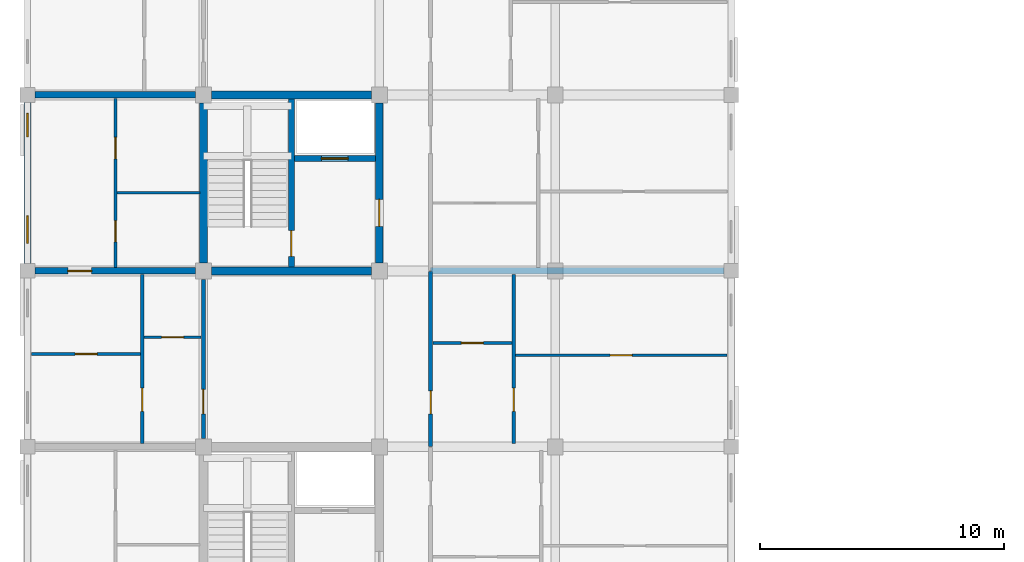
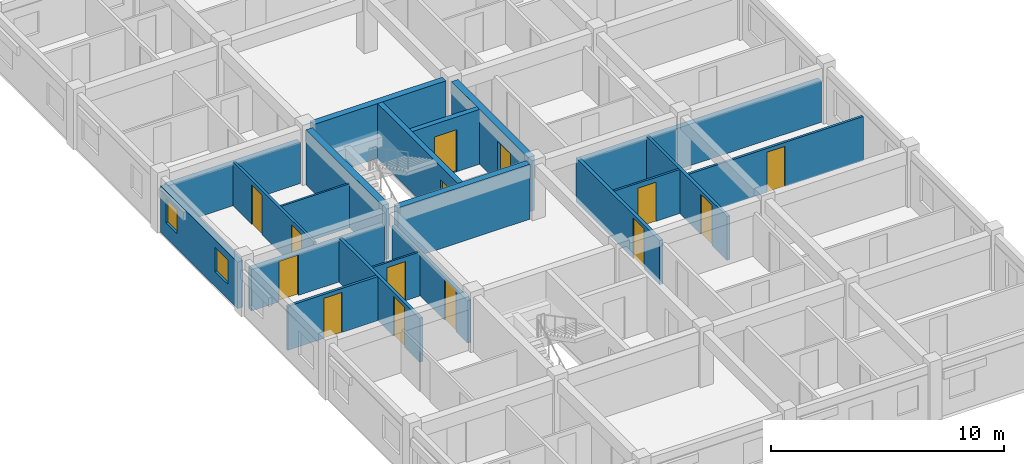
# One storey, part 15 of 50: 20 walls, 14 doors, 2 windows, 16 openings.
"""IFC4 building model written with IfcOpenShell, lengths in metres."""

from ifc_helpers import new_model, si_unit, direction, frame, frame_2d, origin, place, context, subcontext, project, spatial, rectangle, extrude, material, layer, layer_set, type_object, element, fill, save


model = new_model("IFC4")

# Units and contexts
model_context = context("Model", 3, precision=1e-05, world=origin(), true_north=direction((0.0, 1.0)))
body_context = subcontext(model_context, "Body", "Model", "MODEL_VIEW")
ifc_project = project(units=[si_unit("LENGTHUNIT", "METRE"), si_unit("AREAUNIT", "SQUARE_METRE"), si_unit("VOLUMEUNIT", "CUBIC_METRE"), si_unit("PLANEANGLEUNIT", "RADIAN"), si_unit("MASSUNIT", "GRAM", prefix="KILO"), si_unit("THERMODYNAMICTEMPERATUREUNIT", "KELVIN"), si_unit("POWERUNIT", "WATT")], contexts=[model_context])

# Site, building, storey
site_placement = place(None, origin())
site = spatial("IfcSite", under=ifc_project, at=site_placement, CompositionType="ELEMENT")
building_placement = place(site_placement, origin())
building = spatial("IfcBuilding", under=site, at=building_placement, Name="Tavuni Mirador Residences", CompositionType="ELEMENT")
storey_placement = place(building_placement, frame((0.0, 0.0, 4.5)))
storey = spatial("IfcBuildingStorey", under=building, at=storey_placement, Name="L01", CompositionType="ELEMENT", Elevation=4.5)

# Wall, opening, door
ifc_material_1 = material(Name="Precast concrete C40/50", Category="concrete")
ifc_layer_1 = layer(ifc_material_1, 0.25, Name="Precast concrete C40/50", Category="concrete")
ifc_layer_set_1 = layer_set([ifc_layer_1], Name="Precast concrete C40/50")
wall_type_1 = type_object("IfcWallType", Name="WT-COR250", PredefinedType="SHEAR", material=ifc_layer_set_1)
wall_1_placement = place(storey_placement, frame((14.39990234375, 28.9599609375, 0.0), z_axis=(0.0, 0.0, 1.0), x_axis=(0.0, 1.0, 0.0)))
wall_1 = element("IfcWall", 1, at=wall_1_placement, inside=storey, type_object=wall_type_1, Name="CWALL-C2-L01-MID", PredefinedType="SHEAR", context=body_context, shape_type="SweptSolid", body=[
    extrude(rectangle(XDim=6.880126953125, YDim=0.25, at=frame_2d((3.43994140625, 0.0))), origin(), (0.0, 0.0, 1.0), 2.8701171875),
])
opening_1_placement = place(wall_1_placement, frame((0.43994140625, 0.0, 0.0)))
opening_1 = element("IfcOpeningElement", 2, at=opening_1_placement, cuts=wall_1, Name="Opening D-01", PredefinedType="OPENING", context=body_context, shape_type="SweptSolid", body=[
    extrude(rectangle(XDim=1.050048828125, YDim=2.14990234375, at=frame_2d((0.52490234375, 1.074951171875))), frame((0.0, 0.135009765625, 0.0), z_axis=(0.0, -1.0, 0.0), x_axis=(1.0, 0.0, 0.0)), (0.0, 0.0, 1.0), 0.27001953125),
])
ifc_material_2 = material(Name="Solid core iroko timber", Category="wood")
door_type_1 = type_object("IfcDoorType", Name="DT-ST1050", OperationType="NOTDEFINED", PredefinedType="DOOR", material=ifc_material_2)
door_1_placement = place(opening_1_placement, origin())
door_1 = element("IfcDoor", 3, at=door_1_placement, inside=storey, type_object=door_type_1, Name="DR-2063", OperationType="SINGLE_SWING_LEFT", OverallHeight=2.14990234375, OverallWidth=1.050048828125, PredefinedType="DOOR", context=body_context, shape_type="SweptSolid", body=[
    extrude(rectangle(XDim=1.050048828125, YDim=2.14990234375, at=frame_2d((0.52490234375, 1.074951171875))), frame((0.0, 0.02490234375, 0.0), z_axis=(0.0, -1.0, 0.0), x_axis=(1.0, 0.0, 0.0)), (0.0, 0.0, 1.0), 0.050048828125),
])
fill(opening_1, door_1)

wall_2_placement = place(storey_placement, frame((14.52490234375, 33.39990234375, 0.0), z_axis=(0.0, 0.0, 1.0), x_axis=(1.0, 0.0, 0.0)))
wall_2 = element("IfcWall", 4, at=wall_2_placement, inside=storey, type_object=wall_type_1, Name="CWALL-C2-L01-SHF", PredefinedType="SHEAR", context=body_context, shape_type="SweptSolid", body=[
    extrude(rectangle(XDim=3.315185546875, YDim=0.25, at=frame_2d((1.65771484375, 0.0))), origin(), (0.0, 0.0, 1.0), 2.8701171875),
])
opening_2_placement = place(wall_2_placement, frame((1.10009765625, 0.0, 0.0)))
opening_2 = element("IfcOpeningElement", 5, at=opening_2_placement, cuts=wall_2, Name="Opening LD-01", PredefinedType="OPENING", context=body_context, shape_type="SweptSolid", body=[
    extrude(rectangle(XDim=1.10009765625, YDim=2.199951171875, at=frame_2d((0.550048828125, 1.10009765625))), frame((0.0, 0.135009765625, 0.0), z_axis=(0.0, -1.0, 0.0), x_axis=(1.0, 0.0, 0.0)), (0.0, 0.0, 1.0), 0.27001953125),
])
ifc_material_3 = material(Name="Structural steel S355", Category="steel")
door_type_2 = type_object("IfcDoorType", Name="DT-LD-FF", OperationType="SLIDING_TO_LEFT", PredefinedType="DOOR", material=ifc_material_3)
door_2_placement = place(opening_2_placement, origin())
door_2 = element("IfcDoor", 6, at=door_2_placement, inside=storey, type_object=door_type_2, Name="Lift landing door FL-A2 L01", OperationType="SLIDING_TO_LEFT", OverallHeight=2.199951171875, OverallWidth=1.10009765625, PredefinedType="DOOR", context=body_context, shape_type="SweptSolid", body=[
    extrude(rectangle(XDim=1.10009765625, YDim=2.199951171875, at=frame_2d((0.550048828125, 1.10009765625))), frame((0.0, 0.02490234375, 0.0), z_axis=(0.0, -1.0, 0.0), x_axis=(1.0, 0.0, 0.0)), (0.0, 0.0, 1.0), 0.050048828125),
])
fill(opening_2, door_2)

# Walls
ifc_layer_2 = layer(ifc_material_1, 0.320068359375, Name="Precast concrete C40/50", Category="concrete")
ifc_layer_set_2 = layer_set([ifc_layer_2], Name="Precast concrete C40/50")
wall_type_2 = type_object("IfcWallType", Name="WT-COR320", PredefinedType="SHEAR", material=ifc_layer_set_2)
for number, where, z_axis, x_axis, name in (
    (7, (10.800048828125, 29.125, 0.0), (0.0, 0.0, 1.0), (0.0, 1.0, 0.0), "CWALL-C2-L01-W"),
    (8, (11.125, 36.0, 0.0), (0.0, 0.0, 1.0), (1.0, 0.0, 0.0), "CWALL-C2-L01-N"),
):
    element("IfcWall", number, at=place(storey_placement, frame(where, z_axis=z_axis, x_axis=x_axis)), inside=storey, type_object=wall_type_2, Name=name, PredefinedType="SHEAR", context=body_context, shape_type="SweptSolid", body=[
        extrude(rectangle(XDim=6.550048828125, YDim=0.320068359375, at=frame_2d((3.27490234375, 0.0))), origin(), (0.0, 0.0, 1.0), 2.8701171875),
    ])

# Wall, opening, door
wall_3_placement = place(storey_placement, frame((18.0, 29.125, 0.0), z_axis=(0.0, 0.0, 1.0), x_axis=(0.0, 1.0, 0.0)))
wall_3 = element("IfcWall", 9, at=wall_3_placement, inside=storey, type_object=wall_type_2, Name="CWALL-C2-L01-E", PredefinedType="SHEAR", context=body_context, shape_type="SweptSolid", body=[
    extrude(rectangle(XDim=6.550048828125, YDim=0.320068359375, at=frame_2d((3.27490234375, 0.0))), origin(), (0.0, 0.0, 1.0), 2.8701171875),
])
opening_3_placement = place(wall_3_placement, frame((1.5, 0.0, 0.0)))
opening_3 = element("IfcOpeningElement", 10, at=opening_3_placement, cuts=wall_3, Name="Opening D-02", PredefinedType="OPENING", context=body_context, shape_type="SweptSolid", body=[
    extrude(rectangle(XDim=1.10009765625, YDim=2.14990234375, at=frame_2d((0.550048828125, 1.074951171875))), frame((0.0, 0.169921875, 0.0), z_axis=(0.0, -1.0, 0.0), x_axis=(1.0, 0.0, 0.0)), (0.0, 0.0, 1.0), 0.340087890625),
])
door_type_3 = type_object("IfcDoorType", Name="DT-LOB1100", OperationType="NOTDEFINED", PredefinedType="DOOR", material=ifc_material_2)
door_3_placement = place(opening_3_placement, frame((1.10009765625, 0.0, 0.0), z_axis=(0.0, 0.0, 1.0), x_axis=(-1.0, 0.0, 0.0)))
door_3 = element("IfcDoor", 11, at=door_3_placement, inside=storey, type_object=door_type_3, Name="DR-2062", OperationType="SINGLE_SWING_LEFT", OverallHeight=2.14990234375, OverallWidth=1.10009765625, PredefinedType="DOOR", context=body_context, shape_type="SweptSolid", body=[
    extrude(rectangle(XDim=1.10009765625, YDim=2.14990234375, at=frame_2d((0.550048828125, 1.074951171875))), frame((0.0, 0.02490234375, 0.0), z_axis=(0.0, -1.0, 0.0), x_axis=(1.0, 0.0, 0.0)), (0.0, 0.0, 1.0), 0.050048828125),
])
fill(opening_3, door_3)

# Wall
wall_4_placement = place(storey_placement, frame((11.125, 28.800048828125, 0.0), z_axis=(0.0, 0.0, 1.0), x_axis=(1.0, 0.0, 0.0)))
element("IfcWall", 12, at=wall_4_placement, inside=storey, type_object=wall_type_2, Name="CWALL-C2-L01-SS", PredefinedType="SHEAR", context=body_context, shape_type="SweptSolid", body=[
    extrude(rectangle(XDim=6.550048828125, YDim=0.320068359375, at=frame_2d((3.27490234375, 0.0))), origin(), (0.0, 0.0, 1.0), 2.8701171875),
])

# Wall, opening, door
ifc_layer_3 = layer(ifc_material_1, 0.1650390625, Name="Precast concrete C40/50", Category="concrete")
ifc_layer_set_3 = layer_set([ifc_layer_3], Name="Precast concrete C40/50")
wall_type_3 = type_object("IfcWallType", Name="WT-CORR165", PredefinedType="PARTITIONING", material=ifc_layer_set_3)
wall_5_placement = place(storey_placement, frame((20.10009765625, 21.6201171875, 0.0), z_axis=(0.0, 0.0, 1.0), x_axis=(0.0, 1.0, 0.0)))
wall_5 = element("IfcWall", 13, at=wall_5_placement, inside=storey, type_object=wall_type_3, Name="CORW-BLK-A-L01-0-02", PredefinedType="PARTITIONING", context=body_context, shape_type="SweptSolid", body=[
    extrude(rectangle(XDim=7.159912109375, YDim=0.1650390625, at=frame_2d((3.580078125, 0.0))), origin(), (0.0, 0.0, 1.0), 2.304931640625),
])
opening_4_placement = place(wall_5_placement, frame((1.330078125, 0.0, 0.0)))
opening_4 = element("IfcOpeningElement", 14, at=opening_4_placement, cuts=wall_5, Name="Opening D-19", PredefinedType="OPENING", context=body_context, shape_type="SweptSolid", body=[
    extrude(rectangle(XDim=0.93994140625, YDim=2.1201171875, at=frame_2d((0.469970703125, 1.06005859375))), frame((0.0, 0.092529296875, 0.0), z_axis=(0.0, -1.0, 0.0), x_axis=(1.0, 0.0, 0.0)), (0.0, 0.0, 1.0), 0.18505859375),
])
door_type_4 = type_object("IfcDoorType", Name="DT-FD60-940", OperationType="NOTDEFINED", PredefinedType="DOOR", material=ifc_material_2)
door_4_placement = place(opening_4_placement, origin())
door_4 = element("IfcDoor", 15, at=door_4_placement, inside=storey, type_object=door_type_4, Name="DR-2395", OperationType="SINGLE_SWING_RIGHT", OverallHeight=2.1201171875, OverallWidth=0.93994140625, PredefinedType="DOOR", context=body_context, shape_type="SweptSolid", body=[
    extrude(rectangle(XDim=0.93994140625, YDim=2.1201171875, at=frame_2d((0.469970703125, 1.06005859375))), frame((0.0, 0.02490234375, 0.0), z_axis=(0.0, -1.0, 0.0), x_axis=(1.0, 0.0, 0.0)), (0.0, 0.0, 1.0), 0.050048828125),
])
fill(opening_4, door_4)

wall_6_placement = place(storey_placement, frame((10.800048828125, 21.949951171875, 0.0), z_axis=(0.0, 0.0, 1.0), x_axis=(0.0, 1.0, 0.0)))
wall_6 = element("IfcWall", 16, at=wall_6_placement, inside=storey, type_object=wall_type_3, Name="CORW-BLK-A-L01-1-02", PredefinedType="PARTITIONING", context=body_context, shape_type="SweptSolid", body=[
    extrude(rectangle(XDim=6.5, YDim=0.1650390625, at=frame_2d((3.25, 0.0))), origin(), (0.0, 0.0, 1.0), 2.219970703125),
])
opening_5_placement = place(wall_6_placement, frame((1.0, 0.0, 0.0)))
opening_5 = element("IfcOpeningElement", 17, at=opening_5_placement, cuts=wall_6, Name="Opening D-03", PredefinedType="OPENING", context=body_context, shape_type="SweptSolid", body=[
    extrude(rectangle(XDim=1.0, YDim=2.14990234375, at=frame_2d((0.5, 1.074951171875))), frame((0.0, 0.092529296875, 0.0), z_axis=(0.0, -1.0, 0.0), x_axis=(1.0, 0.0, 0.0)), (0.0, 0.0, 1.0), 0.18505859375),
])
door_type_5 = type_object("IfcDoorType", Name="DT-FD60-1000", OperationType="NOTDEFINED", PredefinedType="DOOR", material=ifc_material_2)
door_5_placement = place(opening_5_placement, origin())
door_5 = element("IfcDoor", 18, at=door_5_placement, inside=storey, type_object=door_type_5, Name="DR-2400", OperationType="SINGLE_SWING_LEFT", OverallHeight=2.14990234375, OverallWidth=1.0, PredefinedType="DOOR", context=body_context, shape_type="SweptSolid", body=[
    extrude(rectangle(XDim=1.0, YDim=2.14990234375, at=frame_2d((0.5, 1.074951171875))), frame((0.0, 0.02490234375, 0.0), z_axis=(0.0, -1.0, 0.0), x_axis=(1.0, 0.0, 0.0)), (0.0, 0.0, 1.0), 0.050048828125),
])
fill(opening_5, door_5)

# Wall, openings, windows
ifc_material_4 = material(Name="Sgraffito lime-rendered precast concrete C40/50", Category="concrete")
ifc_layer_4 = layer(ifc_material_4, 0.27490234375, Name="Sgraffito lime-rendered precast concrete C40/50", Category="concrete")
ifc_layer_set_4 = layer_set([ifc_layer_4], Name="Sgraffito lime-rendered precast concrete C40/50")
wall_type_4 = type_object("IfcWallType", Name="WT-EXT-PC275", PredefinedType="SOLIDWALL", material=ifc_layer_set_4)
wall_7_placement = place(storey_placement, frame((3.60009765625, 35.699951171875, 0.0), z_axis=(0.0, 0.0, 1.0), x_axis=(0.0, -1.0, 0.0)))
wall_7 = element("IfcWall", 19, at=wall_7_placement, inside=storey, type_object=wall_type_4, Name="EW-BLK-A-L01-W03", PredefinedType="SOLIDWALL", context=body_context, shape_type="SweptSolid", body=[
    extrude(rectangle(XDim=6.599853515625, YDim=0.27490234375, at=frame_2d((3.2998046875, 0.0))), origin(), (0.0, 0.0, 1.0), 2.43994140625),
])
opening_6_placement = place(wall_7_placement, frame((0.449951171875, 0.0, 0.780029296875)))
opening_6 = element("IfcOpeningElement", 20, at=opening_6_placement, cuts=wall_7, Name="Opening WN-10", PredefinedType="OPENING", context=body_context, shape_type="SweptSolid", body=[
    extrude(rectangle(XDim=0.9599609375, YDim=1.260009765625, at=frame_2d((0.47998046875, 0.6298828125))), frame((0.0, 0.1474609375, 0.0), z_axis=(0.0, -1.0, 0.0), x_axis=(1.0, 0.0, 0.0)), (0.0, 0.0, 1.0), 0.294921875),
])
opening_7_placement = place(wall_7_placement, frame((4.64990234375, 0.0, 0.780029296875)))
opening_7 = element("IfcOpeningElement", 21, at=opening_7_placement, cuts=wall_7, Name="Opening WN-12", PredefinedType="OPENING", context=body_context, shape_type="SweptSolid", body=[
    extrude(rectangle(XDim=1.1201171875, YDim=1.260009765625, at=frame_2d((0.56005859375, 0.6298828125))), frame((0.0, 0.1474609375, 0.0), z_axis=(0.0, -1.0, 0.0), x_axis=(1.0, 0.0, 0.0)), (0.0, 0.0, 1.0), 0.294921875),
])
ifc_material_5 = material(Name="Laminated solar-control glass", Category="glass")
window_type_1 = type_object("IfcWindowType", Name="WNT-10", PartitioningType="SINGLE_PANEL", PredefinedType="WINDOW", material=ifc_material_5)
window_1_placement = place(opening_6_placement, origin())
window_1 = element("IfcWindow", 22, at=window_1_placement, inside=storey, type_object=window_type_1, Name="WIN-0068", OverallHeight=1.260009765625, OverallWidth=0.9599609375, PartitioningType="SINGLE_PANEL", PredefinedType="WINDOW", context=body_context, shape_type="SweptSolid", body=[
    extrude(rectangle(XDim=0.9599609375, YDim=1.260009765625, at=frame_2d((0.47998046875, 0.6298828125))), frame((0.0, 0.030029296875, 0.0), z_axis=(0.0, -1.0, 0.0), x_axis=(1.0, 0.0, 0.0)), (0.0, 0.0, 1.0), 0.06005859375),
])
fill(opening_6, window_1)
window_type_2 = type_object("IfcWindowType", Name="WNT-12", PartitioningType="SINGLE_PANEL", PredefinedType="WINDOW", material=ifc_material_5)
window_2_placement = place(opening_7_placement, origin())
window_2 = element("IfcWindow", 23, at=window_2_placement, inside=storey, type_object=window_type_2, Name="WIN-0069", OverallHeight=1.260009765625, OverallWidth=1.1201171875, PartitioningType="SINGLE_PANEL", PredefinedType="WINDOW", context=body_context, shape_type="SweptSolid", body=[
    extrude(rectangle(XDim=1.1201171875, YDim=1.260009765625, at=frame_2d((0.56005859375, 0.6298828125))), frame((0.0, 0.030029296875, 0.0), z_axis=(0.0, -1.0, 0.0), x_axis=(1.0, 0.0, 0.0)), (0.0, 0.0, 1.0), 0.06005859375),
])
fill(opening_7, window_2)

# Wall, opening, door
ifc_material_6 = material(Name="Acoustic gypsum and concrete block partition", Category="concrete")
ifc_layer_5 = layer(ifc_material_6, 0.094970703125, Name="Acoustic gypsum and concrete block partition", Category="concrete")
ifc_layer_set_5 = layer_set([ifc_layer_5], Name="Acoustic gypsum and concrete block partition")
wall_type_5 = type_object("IfcWallType", Name="WT-PART095", PredefinedType="PARTITIONING", material=ifc_layer_set_5)
wall_8_placement = place(storey_placement, frame((8.3701171875, 26.080078125, 0.0), z_axis=(0.0, 0.0, 1.0), x_axis=(1.0, 0.0, 0.0)))
wall_8 = element("IfcWall", 24, at=wall_8_placement, inside=storey, type_object=wall_type_5, Name="PW-BLK-A-L01-W02-IN1", PredefinedType="PARTITIONING", context=body_context, shape_type="SweptSolid", body=[
    extrude(rectangle(XDim=2.33984375, YDim=0.094970703125, at=frame_2d((1.169921875, 0.0))), origin(), (0.0, 0.0, 1.0), 2.304931640625),
])
opening_8_placement = place(wall_8_placement, frame((0.719970703125, 0.0, 0.0)))
opening_8 = element("IfcOpeningElement", 25, at=opening_8_placement, cuts=wall_8, Name="Opening D-09", PredefinedType="OPENING", context=body_context, shape_type="SweptSolid", body=[
    extrude(rectangle(XDim=0.89990234375, YDim=2.050048828125, at=frame_2d((0.449951171875, 1.02490234375))), frame((0.0, 0.0576171875, 0.0), z_axis=(0.0, -1.0, 0.0), x_axis=(1.0, 0.0, 0.0)), (0.0, 0.0, 1.0), 0.114990234375),
])
door_type_6 = type_object("IfcDoorType", Name="DT-WC900", OperationType="NOTDEFINED", PredefinedType="DOOR", material=ifc_material_2)
door_6_placement = place(opening_8_placement, origin())
door_6 = element("IfcDoor", 26, at=door_6_placement, inside=storey, type_object=door_type_6, Name="DR-2967", OperationType="SINGLE_SWING_RIGHT", OverallHeight=2.050048828125, OverallWidth=0.89990234375, PredefinedType="DOOR", context=body_context, shape_type="SweptSolid", body=[
    extrude(rectangle(XDim=0.89990234375, YDim=2.050048828125, at=frame_2d((0.449951171875, 1.02490234375))), frame((0.0, 0.02490234375, 0.0), z_axis=(0.0, -1.0, 0.0), x_axis=(1.0, 0.0, 0.0)), (0.0, 0.0, 1.0), 0.050048828125),
])
fill(opening_8, door_6)

# Wall
wall_9_placement = place(storey_placement, frame((7.27001953125, 32.0, 0.0), z_axis=(0.0, 0.0, 1.0), x_axis=(1.0, 0.0, 0.0)))
element("IfcWall", 27, at=wall_9_placement, inside=storey, type_object=wall_type_5, Name="PW-BLK-A-L01-WC03-H", PredefinedType="PARTITIONING", context=body_context, shape_type="SweptSolid", body=[
    extrude(rectangle(XDim=3.389892578125, YDim=0.094970703125, at=frame_2d((1.69482421875, 0.0))), origin(), (0.0, 0.0, 1.0), 2.304931640625),
])

# Wall, opening, door
ifc_layer_6 = layer(ifc_material_6, 0.10498046875, Name="Acoustic gypsum and concrete block partition", Category="concrete")
ifc_layer_set_6 = layer_set([ifc_layer_6], Name="Acoustic gypsum and concrete block partition")
wall_type_6 = type_object("IfcWallType", Name="WT-PART105", PredefinedType="PARTITIONING", material=ifc_layer_set_6)
wall_10_placement = place(storey_placement, frame((20.18994140625, 25.85009765625, 0.0), z_axis=(0.0, 0.0, 1.0), x_axis=(1.0, 0.0, 0.0)))
wall_10 = element("IfcWall", 28, at=wall_10_placement, inside=storey, type_object=wall_type_6, Name="PW-BLK-A-L01-E02-IN1", PredefinedType="PARTITIONING", context=body_context, shape_type="SweptSolid", body=[
    extrude(rectangle(XDim=3.239990234375, YDim=0.10498046875, at=frame_2d((1.6201171875, 0.0))), origin(), (0.0, 0.0, 1.0), 2.304931640625),
])
opening_9_placement = place(wall_10_placement, frame((1.169921875, 0.0, 0.0)))
opening_9 = element("IfcOpeningElement", 29, at=opening_9_placement, cuts=wall_10, Name="Opening D-09", PredefinedType="OPENING", context=body_context, shape_type="SweptSolid", body=[
    extrude(rectangle(XDim=0.89990234375, YDim=2.050048828125, at=frame_2d((0.449951171875, 1.02490234375))), frame((0.0, 0.0625, 0.0), z_axis=(0.0, -1.0, 0.0), x_axis=(1.0, 0.0, 0.0)), (0.0, 0.0, 1.0), 0.125),
])
door_7_placement = place(opening_9_placement, origin())
door_7 = element("IfcDoor", 30, at=door_7_placement, inside=storey, type_object=door_type_6, Name="DR-2970", OperationType="SINGLE_SWING_RIGHT", OverallHeight=2.050048828125, OverallWidth=0.89990234375, PredefinedType="DOOR", context=body_context, shape_type="SweptSolid", body=[
    extrude(rectangle(XDim=0.89990234375, YDim=2.050048828125, at=frame_2d((0.449951171875, 1.02490234375))), frame((0.0, 0.02490234375, 0.0), z_axis=(0.0, -1.0, 0.0), x_axis=(1.0, 0.0, 0.0)), (0.0, 0.0, 1.0), 0.050048828125),
])
fill(opening_9, door_7)

ifc_layer_7 = layer(ifc_material_6, 0.114990234375, Name="Acoustic gypsum and concrete block partition", Category="concrete")
ifc_layer_set_7 = layer_set([ifc_layer_7], Name="Acoustic gypsum and concrete block partition")
wall_type_7 = type_object("IfcWallType", Name="WT-PART115", PredefinedType="PARTITIONING", material=ifc_layer_set_7)
wall_11_placement = place(storey_placement, frame((23.570068359375, 25.35009765625, 0.0), z_axis=(0.0, 0.0, 1.0), x_axis=(1.0, 0.0, 0.0)))
wall_11 = element("IfcWall", 31, at=wall_11_placement, inside=storey, type_object=wall_type_7, Name="PW-BLK-A-L01-E02-OUT", PredefinedType="PARTITIONING", context=body_context, shape_type="SweptSolid", body=[
    extrude(rectangle(XDim=8.655029296875, YDim=0.114990234375, at=frame_2d((4.32763671875, 0.0))), origin(), (0.0, 0.0, 1.0), 2.304931640625),
])
opening_10_placement = place(wall_11_placement, frame((3.87744140625, 0.0, 0.0)))
opening_10 = element("IfcOpeningElement", 32, at=opening_10_placement, cuts=wall_11, Name="Opening D-07", PredefinedType="OPENING", context=body_context, shape_type="SweptSolid", body=[
    extrude(rectangle(XDim=0.89990234375, YDim=2.10009765625, at=frame_2d((0.449951171875, 1.050048828125))), frame((0.0, 0.0673828125, 0.0), z_axis=(0.0, -1.0, 0.0), x_axis=(1.0, 0.0, 0.0)), (0.0, 0.0, 1.0), 0.135009765625),
])
door_type_7 = type_object("IfcDoorType", Name="DT-BED900", OperationType="NOTDEFINED", PredefinedType="DOOR", material=ifc_material_2)
door_8_placement = place(opening_10_placement, origin())
door_8 = element("IfcDoor", 33, at=door_8_placement, inside=storey, type_object=door_type_7, Name="DR-2969", OperationType="SINGLE_SWING_LEFT", OverallHeight=2.10009765625, OverallWidth=0.89990234375, PredefinedType="DOOR", context=body_context, shape_type="SweptSolid", body=[
    extrude(rectangle(XDim=0.89990234375, YDim=2.10009765625, at=frame_2d((0.449951171875, 1.050048828125))), frame((0.0, 0.02490234375, 0.0), z_axis=(0.0, -1.0, 0.0), x_axis=(1.0, 0.0, 0.0)), (0.0, 0.0, 1.0), 0.050048828125),
])
fill(opening_10, door_8)

ifc_layer_8 = layer(ifc_material_6, 0.125, Name="Acoustic gypsum and concrete block partition", Category="concrete")
ifc_layer_set_8 = layer_set([ifc_layer_8], Name="Acoustic gypsum and concrete block partition")
wall_type_8 = type_object("IfcWallType", Name="WT-PART125", PredefinedType="PARTITIONING", material=ifc_layer_set_8)
wall_12_placement = place(storey_placement, frame((3.77490234375, 25.39990234375, 0.0), z_axis=(0.0, 0.0, 1.0), x_axis=(1.0, 0.0, 0.0)))
wall_12 = element("IfcWall", 34, at=wall_12_placement, inside=storey, type_object=wall_type_8, Name="PW-BLK-A-L01-W02-OUT", PredefinedType="PARTITIONING", context=body_context, shape_type="SweptSolid", body=[
    extrude(rectangle(XDim=4.455078125, YDim=0.125, at=frame_2d((2.2275390625, 0.0))), origin(), (0.0, 0.0, 1.0), 2.304931640625),
])
opening_11_placement = place(wall_12_placement, frame((1.777587890625, 0.0, 0.0)))
opening_11 = element("IfcOpeningElement", 35, at=opening_11_placement, cuts=wall_12, Name="Opening D-07", PredefinedType="OPENING", context=body_context, shape_type="SweptSolid", body=[
    extrude(rectangle(XDim=0.89990234375, YDim=2.10009765625, at=frame_2d((0.449951171875, 1.050048828125))), frame((0.0, 0.072509765625, 0.0), z_axis=(0.0, -1.0, 0.0), x_axis=(1.0, 0.0, 0.0)), (0.0, 0.0, 1.0), 0.14501953125),
])
door_9_placement = place(opening_11_placement, origin())
door_9 = element("IfcDoor", 36, at=door_9_placement, inside=storey, type_object=door_type_7, Name="DR-2966", OperationType="SINGLE_SWING_LEFT", OverallHeight=2.10009765625, OverallWidth=0.89990234375, PredefinedType="DOOR", context=body_context, shape_type="SweptSolid", body=[
    extrude(rectangle(XDim=0.89990234375, YDim=2.10009765625, at=frame_2d((0.449951171875, 1.050048828125))), frame((0.0, 0.02490234375, 0.0), z_axis=(0.0, -1.0, 0.0), x_axis=(1.0, 0.0, 0.0)), (0.0, 0.0, 1.0), 0.050048828125),
])
fill(opening_11, door_9)

# Wall, openings, doors
wall_13_placement = place(storey_placement, frame((7.199951171875, 28.93994140625, 0.0), z_axis=(0.0, 0.0, 1.0), x_axis=(0.0, 1.0, 0.0)))
wall_13 = element("IfcWall", 37, at=wall_13_placement, inside=storey, type_object=wall_type_8, Name="PW-BLK-A-L01-WC03-M", PredefinedType="PARTITIONING", context=body_context, shape_type="SweptSolid", body=[
    extrude(rectangle(XDim=6.920166015625, YDim=0.125, at=frame_2d((3.4599609375, 0.0))), origin(), (0.0, 0.0, 1.0), 2.304931640625),
])
opening_12_placement = place(wall_13_placement, frame((1.050048828125, 0.0, 0.0)))
opening_12 = element("IfcOpeningElement", 38, at=opening_12_placement, cuts=wall_13, Name="Opening D-10", PredefinedType="OPENING", context=body_context, shape_type="SweptSolid", body=[
    extrude(rectangle(XDim=0.8701171875, YDim=2.050048828125, at=frame_2d((0.43505859375, 1.02490234375))), frame((0.0, 0.072509765625, 0.0), z_axis=(0.0, -1.0, 0.0), x_axis=(1.0, 0.0, 0.0)), (0.0, 0.0, 1.0), 0.14501953125),
])
opening_13_placement = place(wall_13_placement, frame((4.449951171875, 0.0, 0.0)))
opening_13 = element("IfcOpeningElement", 39, at=opening_13_placement, cuts=wall_13, Name="Opening D-08", PredefinedType="OPENING", context=body_context, shape_type="SweptSolid", body=[
    extrude(rectangle(XDim=0.8798828125, YDim=2.080078125, at=frame_2d((0.43994140625, 1.0400390625))), frame((0.0, 0.072509765625, 0.0), z_axis=(0.0, -1.0, 0.0), x_axis=(1.0, 0.0, 0.0)), (0.0, 0.0, 1.0), 0.14501953125),
])
door_type_8 = type_object("IfcDoorType", Name="DT-BED880", OperationType="NOTDEFINED", PredefinedType="DOOR", material=ifc_material_2)
door_10_placement = place(opening_13_placement, origin())
door_10 = element("IfcDoor", 40, at=door_10_placement, inside=storey, type_object=door_type_8, Name="DR-2973", OperationType="SINGLE_SWING_LEFT", OverallHeight=2.080078125, OverallWidth=0.8798828125, PredefinedType="DOOR", context=body_context, shape_type="SweptSolid", body=[
    extrude(rectangle(XDim=0.8798828125, YDim=2.080078125, at=frame_2d((0.43994140625, 1.0400390625))), frame((0.0, 0.02490234375, 0.0), z_axis=(0.0, -1.0, 0.0), x_axis=(1.0, 0.0, 0.0)), (0.0, 0.0, 1.0), 0.050048828125),
])
fill(opening_13, door_10)
door_type_9 = type_object("IfcDoorType", Name="DT-WC870", OperationType="NOTDEFINED", PredefinedType="DOOR", material=ifc_material_2)
door_11_placement = place(opening_12_placement, origin())
door_11 = element("IfcDoor", 41, at=door_11_placement, inside=storey, type_object=door_type_9, Name="DR-2972", OperationType="SINGLE_SWING_RIGHT", OverallHeight=2.050048828125, OverallWidth=0.8701171875, PredefinedType="DOOR", context=body_context, shape_type="SweptSolid", body=[
    extrude(rectangle(XDim=0.8701171875, YDim=2.050048828125, at=frame_2d((0.43505859375, 1.02490234375))), frame((0.0, 0.02490234375, 0.0), z_axis=(0.0, -1.0, 0.0), x_axis=(1.0, 0.0, 0.0)), (0.0, 0.0, 1.0), 0.050048828125),
])
fill(opening_12, door_11)

# Wall, opening, door
ifc_layer_9 = layer(ifc_material_6, 0.139892578125, Name="Acoustic gypsum and concrete block partition", Category="concrete")
ifc_layer_set_9 = layer_set([ifc_layer_9], Name="Acoustic gypsum and concrete block partition")
wall_type_9 = type_object("IfcWallType", Name="WT-PART140", PredefinedType="PARTITIONING", material=ifc_layer_set_9)
wall_14_placement = place(storey_placement, frame((23.5, 21.739990234375, 0.0), z_axis=(0.0, 0.0, 1.0), x_axis=(0.0, 1.0, 0.0)))
wall_14 = element("IfcWall", 42, at=wall_14_placement, inside=storey, type_object=wall_type_9, Name="PW-BLK-A-L01-E02-MID", PredefinedType="PARTITIONING", context=body_context, shape_type="SweptSolid", body=[
    extrude(rectangle(XDim=6.919921875, YDim=0.139892578125, at=frame_2d((3.4599609375, 0.0))), origin(), (0.0, 0.0, 1.0), 2.304931640625),
])
opening_14_placement = place(wall_14_placement, frame((1.31005859375, 0.0, 0.0)))
opening_14 = element("IfcOpeningElement", 43, at=opening_14_placement, cuts=wall_14, Name="Opening D-05", PredefinedType="OPENING", context=body_context, shape_type="SweptSolid", body=[
    extrude(rectangle(XDim=0.949951171875, YDim=2.10009765625, at=frame_2d((0.47509765625, 1.050048828125))), frame((0.0, 0.080078125, 0.0), z_axis=(0.0, -1.0, 0.0), x_axis=(1.0, 0.0, 0.0)), (0.0, 0.0, 1.0), 0.159912109375),
])
door_type_10 = type_object("IfcDoorType", Name="DT-INT950", OperationType="NOTDEFINED", PredefinedType="DOOR", material=ifc_material_2)
door_12_placement = place(opening_14_placement, origin())
door_12 = element("IfcDoor", 44, at=door_12_placement, inside=storey, type_object=door_type_10, Name="DR-2971", OperationType="SINGLE_SWING_LEFT", OverallHeight=2.10009765625, OverallWidth=0.949951171875, PredefinedType="DOOR", context=body_context, shape_type="SweptSolid", body=[
    extrude(rectangle(XDim=0.949951171875, YDim=2.10009765625, at=frame_2d((0.47509765625, 1.050048828125))), frame((0.0, 0.02490234375, 0.0), z_axis=(0.0, -1.0, 0.0), x_axis=(1.0, 0.0, 0.0)), (0.0, 0.0, 1.0), 0.050048828125),
])
fill(opening_14, door_12)

ifc_layer_10 = layer(ifc_material_6, 0.14990234375, Name="Acoustic gypsum and concrete block partition", Category="concrete")
ifc_layer_set_10 = layer_set([ifc_layer_10], Name="Acoustic gypsum and concrete block partition")
wall_type_10 = type_object("IfcWallType", Name="WT-PART150", PredefinedType="PARTITIONING", material=ifc_layer_set_10)
wall_15_placement = place(storey_placement, frame((8.300048828125, 21.739990234375, 0.0), z_axis=(0.0, 0.0, 1.0), x_axis=(0.0, 1.0, 0.0)))
wall_15 = element("IfcWall", 45, at=wall_15_placement, inside=storey, type_object=wall_type_10, Name="PW-BLK-A-L01-W02-MID", PredefinedType="PARTITIONING", context=body_context, shape_type="SweptSolid", body=[
    extrude(rectangle(XDim=6.919921875, YDim=0.14990234375, at=frame_2d((3.4599609375, 0.0))), origin(), (0.0, 0.0, 1.0), 2.304931640625),
])
opening_15_placement = place(wall_15_placement, frame((1.31005859375, 0.0, 0.0)))
opening_15 = element("IfcOpeningElement", 46, at=opening_15_placement, cuts=wall_15, Name="Opening D-05", PredefinedType="OPENING", context=body_context, shape_type="SweptSolid", body=[
    extrude(rectangle(XDim=0.949951171875, YDim=2.10009765625, at=frame_2d((0.47509765625, 1.050048828125))), frame((0.0, 0.0849609375, 0.0), z_axis=(0.0, -1.0, 0.0), x_axis=(1.0, 0.0, 0.0)), (0.0, 0.0, 1.0), 0.169921875),
])
door_13_placement = place(opening_15_placement, origin())
door_13 = element("IfcDoor", 47, at=door_13_placement, inside=storey, type_object=door_type_10, Name="DR-2968", OperationType="SINGLE_SWING_LEFT", OverallHeight=2.10009765625, OverallWidth=0.949951171875, PredefinedType="DOOR", context=body_context, shape_type="SweptSolid", body=[
    extrude(rectangle(XDim=0.949951171875, YDim=2.10009765625, at=frame_2d((0.47509765625, 1.050048828125))), frame((0.0, 0.02490234375, 0.0), z_axis=(0.0, -1.0, 0.0), x_axis=(1.0, 0.0, 0.0)), (0.0, 0.0, 1.0), 0.050048828125),
])
fill(opening_15, door_13)

ifc_layer_11 = layer(ifc_material_1, 0.264892578125, Name="Precast concrete C40/50", Category="concrete")
ifc_layer_set_11 = layer_set([ifc_layer_11], Name="Precast concrete C40/50")
wall_type_11 = type_object("IfcWallType", Name="WT-XW265", PredefinedType="SOLIDWALL", material=ifc_layer_set_11)
wall_16_placement = place(storey_placement, frame((3.89990234375, 28.800048828125, 0.0), z_axis=(0.0, 0.0, 1.0), x_axis=(1.0, 0.0, 0.0)))
wall_16 = element("IfcWall", 48, at=wall_16_placement, inside=storey, type_object=wall_type_11, Name="XW-BLK-A-L01-W-03", PredefinedType="SOLIDWALL", context=body_context, shape_type="SweptSolid", body=[
    extrude(rectangle(XDim=6.5751953125, YDim=0.264892578125, at=frame_2d((3.28759765625, 0.0))), origin(), (0.0, 0.0, 1.0), 2.169921875),
])
opening_16_placement = place(wall_16_placement, frame((1.35009765625, 0.0, 0.0)))
opening_16 = element("IfcOpeningElement", 49, at=opening_16_placement, cuts=wall_16, Name="Opening D-04", PredefinedType="OPENING", context=body_context, shape_type="SweptSolid", body=[
    extrude(rectangle(XDim=0.97998046875, YDim=2.1201171875, at=frame_2d((0.489990234375, 1.06005859375))), frame((0.0, 0.142578125, 0.0), z_axis=(0.0, -1.0, 0.0), x_axis=(1.0, 0.0, 0.0)), (0.0, 0.0, 1.0), 0.284912109375),
])
door_type_11 = type_object("IfcDoorType", Name="DT-FD60-980", OperationType="NOTDEFINED", PredefinedType="DOOR", material=ifc_material_2)
door_14_placement = place(opening_16_placement, origin())
door_14 = element("IfcDoor", 50, at=door_14_placement, inside=storey, type_object=door_type_11, Name="DR-4677", OperationType="SINGLE_SWING_RIGHT", OverallHeight=2.1201171875, OverallWidth=0.97998046875, PredefinedType="DOOR", context=body_context, shape_type="SweptSolid", body=[
    extrude(rectangle(XDim=0.97998046875, YDim=2.1201171875, at=frame_2d((0.489990234375, 1.06005859375))), frame((0.0, 0.02490234375, 0.0), z_axis=(0.0, -1.0, 0.0), x_axis=(1.0, 0.0, 0.0)), (0.0, 0.0, 1.0), 0.050048828125),
])
fill(opening_16, door_14)

# Walls
wall_17_placement = place(storey_placement, frame((20.10009765625, 28.800048828125, 0.0), z_axis=(0.0, 0.0, 1.0), x_axis=(1.0, 0.0, 0.0)))
element("IfcWall", 51, at=wall_17_placement, inside=storey, type_object=wall_type_11, Name="XW-BLK-A-L01-E-03", PredefinedType="SOLIDWALL", context=body_context, shape_type="SweptSolid", body=[
    extrude(rectangle(XDim=12.0, YDim=0.264892578125, at=frame_2d((6.0, 0.0))), origin(), (0.0, 0.0, 1.0), 2.169921875),
])
wall_18_placement = place(storey_placement, frame((3.89990234375, 36.0, 0.0), z_axis=(0.0, 0.0, 1.0), x_axis=(1.0, 0.0, 0.0)))
element("IfcWall", 52, at=wall_18_placement, inside=storey, type_object=wall_type_11, Name="XW-BLK-A-L01-W-04", PredefinedType="SOLIDWALL", context=body_context, shape_type="SweptSolid", body=[
    extrude(rectangle(XDim=6.5751953125, YDim=0.264892578125, at=frame_2d((3.28759765625, 0.0))), origin(), (0.0, 0.0, 1.0), 2.169921875),
])

save(model, "model.ifc")
